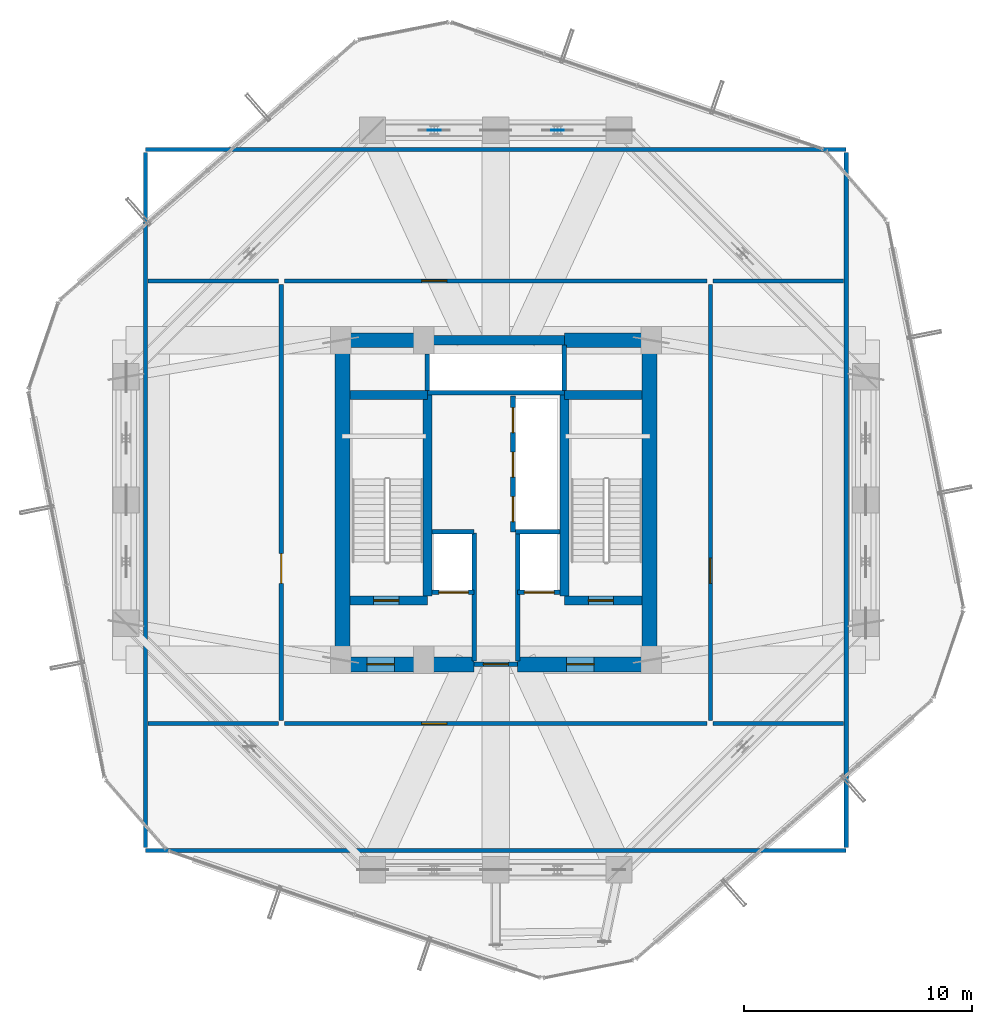
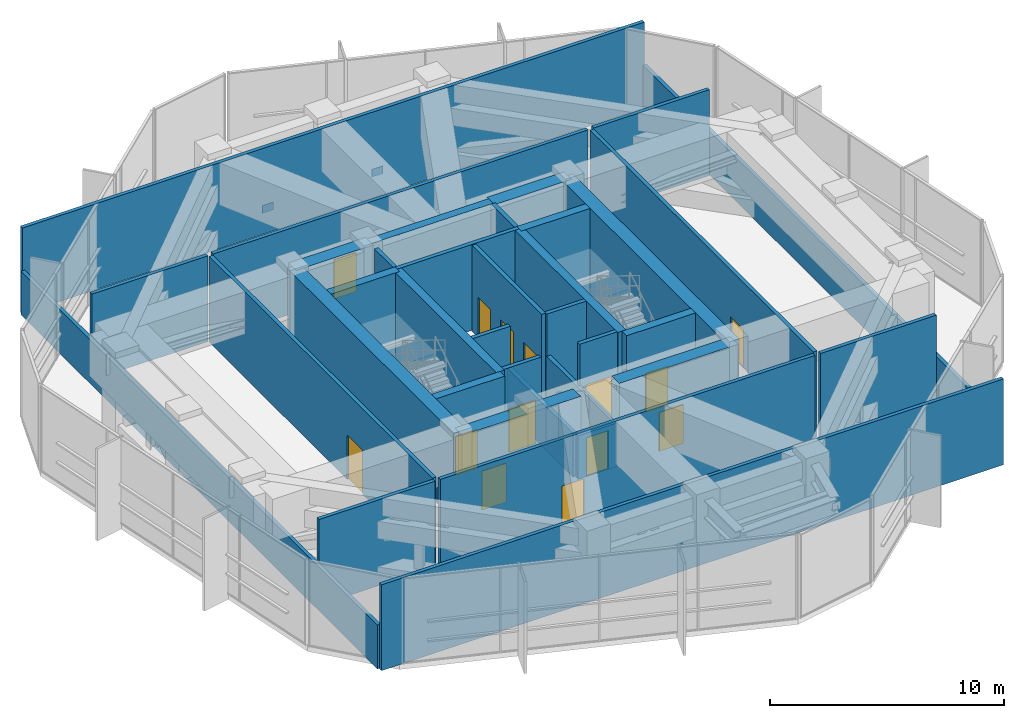
# One storey, part 33 of 36: 36 walls, 14 doors, 2 plates, 14 openings.
"""IFC4 building model written with IfcOpenShell, lengths in metres."""

from ifc_helpers import new_model, si_unit, direction, frame, frame_2d, origin, origin_2d, place, context, subcontext, project, spatial, rectangle, extrude, source, transform, mapped, material, layer, layer_set, type_object, element, fill, save


model = new_model("IFC4")

# Units and contexts
model_context = context("Model", 3, precision=1e-05, world=origin(), true_north=direction((0.0, 1.0)))
body_context = subcontext(model_context, "Body", "Model", "MODEL_VIEW")
ifc_project = project(units=[si_unit("LENGTHUNIT", "METRE"), si_unit("AREAUNIT", "SQUARE_METRE"), si_unit("VOLUMEUNIT", "CUBIC_METRE"), si_unit("PLANEANGLEUNIT", "RADIAN"), si_unit("MASSUNIT", "GRAM", prefix="KILO")], contexts=[model_context])

# Site, building, storey
site_placement = place(None, origin())
site = spatial("IfcSite", under=ifc_project, at=site_placement, CompositionType="ELEMENT")
building_placement = place(site_placement, origin())
building = spatial("IfcBuilding", under=site, at=building_placement, Name="Veraguas Prism Commons", CompositionType="ELEMENT")
storey_placement = place(building_placement, frame((0.0, 0.0, 169.550048828125)))
storey = spatial("IfcBuildingStorey", under=building, at=storey_placement, Name="L48", CompositionType="ELEMENT", Elevation=169.550048828125)

# Plates
ifc_material_1 = material(Name="Steel ASTM A572 Grade 50", Category="steel")
ifc_layer_1 = layer(ifc_material_1, 0.030029296875, Name="Hollow Brace End Cap Plate 550x400x30", Category="steel")
ifc_layer_set_1 = layer_set([ifc_layer_1], Name="Steel ASTM A572 Grade 50")
plate_type = type_object("IfcPlateType", Name="Hollow Brace End Cap Plate 550x400x30", PredefinedType="USERDEFINED", material=ifc_layer_set_1)
shared_shape_1 = source(origin(), body_context, "Body", "SweptSolid", [
    extrude(rectangle(XDim=0.550048828125, YDim=0.030029296875, at=origin_2d()), origin(), (0.0, 0.0, 1.0), 0.39990234375),
])
for number, where, z_axis, x_axis, name in (
    (1, (26.699951171875, 40.199951171875, 0.35009765625), (0.0, 0.0, 1.0), (-1.0, 0.0, 0.0), "Hollow Brace End Cap Plate L48-04"),
    (2, (21.300048828125, 40.199951171875, 0.35009765625), (0.0, 0.0, 1.0), (-1.0, 0.0, 0.0), "Hollow Brace End Cap Plate L48-05"),
):
    element("IfcPlate", number, at=place(storey_placement, frame(where, z_axis=z_axis, x_axis=x_axis)), inside=storey, type_object=plate_type, Name=name, ObjectType="STIFFENER PLATE", PredefinedType="USERDEFINED", context=body_context, shape_type="MappedRepresentation", body=[
        mapped(shared_shape_1, transform((0.0, 0.0, 0.0), scale=1.0)),
    ])

# Wall
ifc_material_2 = material(Name="Concrete C50/60", Category="concrete")
ifc_layer_2 = layer(ifc_material_2, 0.39990234375, Name="Clinic and Mid Core Shear Wall RC 400", Category="concrete")
ifc_layer_set_2 = layer_set([ifc_layer_2], Name="Concrete C50/60")
wall_type_1 = type_object("IfcWallType", Name="Clinic and Mid Core Shear Wall RC 400", PredefinedType="SHEAR", material=ifc_layer_set_2)
wall_1_placement = place(storey_placement, frame((21.0, 31.0, 0.0), z_axis=(0.0, 0.0, 1.0), x_axis=(1.0, 0.0, 0.0)))
element("IfcWall", 3, at=wall_1_placement, inside=storey, type_object=wall_type_1, Name="High-Rise Lift Bank Front Shear Wall L48", PredefinedType="SHEAR", context=body_context, shape_type="SweptSolid", body=[
    extrude(rectangle(XDim=6.0, YDim=0.39990234375, at=frame_2d((3.0, 0.0))), origin(), (0.0, 0.0, 1.0), 4.47998046875),
])

# Wall, opening, door
wall_2_placement = place(storey_placement, frame((17.60009765625, 19.60009765625, 0.0), z_axis=(0.0, 0.0, 1.0), x_axis=(1.0, 0.0, 0.0)))
wall_2 = element("IfcWall", 4, at=wall_2_placement, inside=storey, type_object=wall_type_1, Name="Stair ST-01 South Shear Wall L48", PredefinedType="SHEAR", context=body_context, shape_type="SweptSolid", body=[
    extrude(rectangle(XDim=3.39990234375, YDim=0.39990234375, at=frame_2d((1.699951171875, 0.0))), origin(), (0.0, 0.0, 1.0), 4.47998046875),
])
opening_1_placement = place(wall_2_placement, frame((1.050048828125, 0.0, 0.0)))
opening_1 = element("IfcOpeningElement", 5, at=opening_1_placement, cuts=wall_2, Name="Opening DR-05", PredefinedType="OPENING", context=body_context, shape_type="SweptSolid", body=[
    extrude(rectangle(XDim=1.10009765625, YDim=2.030029296875, at=frame_2d((0.550048828125, 1.01513671875))), frame((0.0, 0.2099609375, 0.0), z_axis=(0.0, -1.0, 0.0), x_axis=(1.0, 0.0, 0.0)), (0.0, 0.0, 1.0), 0.419921875),
])
ifc_material_3 = material(Name="Steel fire-rated door assembly", Category="steel")
door_type_1 = type_object("IfcDoorType", Name="Protected Stair and Refuge Fire Door 1100x2030", OperationType="NOTDEFINED", PredefinedType="DOOR", material=ifc_material_3)
shared_shape_2 = source(origin(), body_context, "Body", "SweptSolid", [
    extrude(rectangle(XDim=1.10009765625, YDim=2.030029296875, at=frame_2d((0.550048828125, 1.01513671875))), frame((0.0, 0.02490234375, 0.0), z_axis=(0.0, -1.0, 0.0), x_axis=(1.0, 0.0, 0.0)), (0.0, 0.0, 1.0), 0.050048828125),
])
door_1_placement = place(opening_1_placement, origin())
door_1 = element("IfcDoor", 6, at=door_1_placement, inside=storey, type_object=door_type_1, Name="Stair ST-01 Enclosure Door L48", OperationType="SINGLE_SWING_LEFT", OverallHeight=2.030029296875, OverallWidth=1.10009765625, PredefinedType="DOOR", context=body_context, shape_type="MappedRepresentation", body=[
    mapped(shared_shape_2, transform((0.0, 0.0, 0.0), scale=1.0)),
])
fill(opening_1, door_1)

wall_3_placement = place(storey_placement, frame((27.0, 19.60009765625, 0.0), z_axis=(0.0, 0.0, 1.0), x_axis=(1.0, 0.0, 0.0)))
wall_3 = element("IfcWall", 7, at=wall_3_placement, inside=storey, type_object=wall_type_1, Name="Stair ST-02 South Shear Wall L48", PredefinedType="SHEAR", context=body_context, shape_type="SweptSolid", body=[
    extrude(rectangle(XDim=3.39990234375, YDim=0.39990234375, at=frame_2d((1.699951171875, 0.0))), origin(), (0.0, 0.0, 1.0), 4.47998046875),
])
opening_2_placement = place(wall_3_placement, frame((1.050048828125, 0.0, 0.0)))
opening_2 = element("IfcOpeningElement", 8, at=opening_2_placement, cuts=wall_3, Name="Opening DR-05", PredefinedType="OPENING", context=body_context, shape_type="SweptSolid", body=[
    extrude(rectangle(XDim=1.10009765625, YDim=2.030029296875, at=frame_2d((0.550048828125, 1.01513671875))), frame((0.0, 0.2099609375, 0.0), z_axis=(0.0, -1.0, 0.0), x_axis=(1.0, 0.0, 0.0)), (0.0, 0.0, 1.0), 0.419921875),
])
door_2_placement = place(opening_2_placement, origin())
door_2 = element("IfcDoor", 9, at=door_2_placement, inside=storey, type_object=door_type_1, Name="Stair ST-02 Enclosure Door L48", OperationType="SINGLE_SWING_RIGHT", OverallHeight=2.030029296875, OverallWidth=1.10009765625, PredefinedType="DOOR", context=body_context, shape_type="MappedRepresentation", body=[
    mapped(shared_shape_2, transform((0.0, 0.0, 0.0), scale=1.0)),
])
fill(opening_2, door_2)

# Walls
for number, where, z_axis, x_axis, name in (
    (10, (21.0, 19.800048828125, 0.0), (0.0, 0.0, 1.0), (0.0, 1.0, 0.0), "Stair ST-01 Inner Shear Wall L48"),
    (11, (27.0, 19.800048828125, 0.0), (0.0, 0.0, 1.0), (0.0, 1.0, 0.0), "Stair ST-02 Inner Shear Wall L48"),
):
    element("IfcWall", number, at=place(storey_placement, frame(where, z_axis=z_axis, x_axis=x_axis)), inside=storey, type_object=wall_type_1, Name=name, PredefinedType="SHEAR", context=body_context, shape_type="SweptSolid", body=[
        extrude(rectangle(XDim=8.800048828125, YDim=0.39990234375, at=frame_2d((4.39990234375, 0.0))), origin(), (0.0, 0.0, 1.0), 4.47998046875),
    ])
for number, where, z_axis, x_axis, name in (
    (12, (17.60009765625, 28.60009765625, 0.0), (0.0, 0.0, 1.0), (1.0, 0.0, 0.0), "Stair ST-01 North Shear Wall L48"),
    (13, (27.0, 28.60009765625, 0.0), (0.0, 0.0, 1.0), (1.0, 0.0, 0.0), "Stair ST-02 North Shear Wall L48"),
):
    element("IfcWall", number, at=place(storey_placement, frame(where, z_axis=z_axis, x_axis=x_axis)), inside=storey, type_object=wall_type_1, Name=name, PredefinedType="SHEAR", context=body_context, shape_type="SweptSolid", body=[
        extrude(rectangle(XDim=3.39990234375, YDim=0.39990234375, at=frame_2d((1.699951171875, 0.0))), origin(), (0.0, 0.0, 1.0), 4.47998046875),
    ])
ifc_material_4 = material(Name="Concrete C55/67", Category="concrete")
ifc_layer_3 = layer(ifc_material_4, 0.64990234375, Name="Core Outer Shear Wall Mid RC 650", Category="concrete")
ifc_layer_set_3 = layer_set([ifc_layer_3], Name="Concrete C55/67")
wall_type_2 = type_object("IfcWallType", Name="Core Outer Shear Wall Mid RC 650", PredefinedType="SHEAR", material=ifc_layer_set_3)
for number, where, z_axis, x_axis, name in (
    (14, (17.27490234375, 16.800048828125, 0.0), (0.0, 0.0, 1.0), (0.0, 1.0, 0.0), "Central Core West Shear Wall L48"),
    (15, (30.72509765625, 16.800048828125, 0.0), (0.0, 0.0, 1.0), (0.0, 1.0, 0.0), "Central Core East Shear Wall L48"),
):
    element("IfcWall", number, at=place(storey_placement, frame(where, z_axis=z_axis, x_axis=x_axis)), inside=storey, type_object=wall_type_2, Name=name, PredefinedType="SHEAR", context=body_context, shape_type="SweptSolid", body=[
        extrude(rectangle(XDim=14.199951171875, YDim=0.64990234375, at=frame_2d((7.10009765625, 0.0))), origin(), (0.0, 0.0, 1.0), 4.47998046875),
    ])

# Wall, opening, door
wall_4_placement = place(storey_placement, frame((17.199951171875, 16.800048828125, 0.0), z_axis=(0.0, 0.0, 1.0), x_axis=(1.0, 0.0, 0.0)))
wall_4 = element("IfcWall", 16, at=wall_4_placement, inside=storey, type_object=wall_type_2, Name="Central Core South-West Shear Wall L48", PredefinedType="SHEAR", context=body_context, shape_type="SweptSolid", body=[
    extrude(rectangle(XDim=5.85009765625, YDim=0.64990234375, at=frame_2d((2.925048828125, 0.0))), origin(), (0.0, 0.0, 1.0), 4.47998046875),
])
opening_3_placement = place(wall_4_placement, frame((1.14990234375, 0.0, 0.0)))
opening_3 = element("IfcOpeningElement", 17, at=opening_3_placement, cuts=wall_4, Name="Opening DR-06", PredefinedType="OPENING", context=body_context, shape_type="SweptSolid", body=[
    extrude(rectangle(XDim=1.199951171875, YDim=2.030029296875, at=frame_2d((0.60009765625, 1.01513671875))), frame((0.0, 0.3349609375, 0.0), z_axis=(0.0, -1.0, 0.0), x_axis=(1.0, 0.0, 0.0)), (0.0, 0.0, 1.0), 0.669921875),
])
door_type_2 = type_object("IfcDoorType", Name="Firefighting Lobby Smoke Door 1200x2030", OperationType="NOTDEFINED", PredefinedType="DOOR", material=ifc_material_3)
shared_shape_3 = source(origin(), body_context, "Body", "SweptSolid", [
    extrude(rectangle(XDim=1.199951171875, YDim=2.030029296875, at=frame_2d((0.60009765625, 1.01513671875))), frame((0.0, 0.02490234375, 0.0), z_axis=(0.0, -1.0, 0.0), x_axis=(1.0, 0.0, 0.0)), (0.0, 0.0, 1.0), 0.050048828125),
])
door_3_placement = place(opening_3_placement, origin())
door_3 = element("IfcDoor", 18, at=door_3_placement, inside=storey, type_object=door_type_2, Name="West FF Lobby Door L48", OperationType="SINGLE_SWING_RIGHT", OverallHeight=2.030029296875, OverallWidth=1.199951171875, PredefinedType="DOOR", context=body_context, shape_type="MappedRepresentation", body=[
    mapped(shared_shape_3, transform((0.0, 0.0, 0.0), scale=1.0)),
])
fill(opening_3, door_3)

wall_5_placement = place(storey_placement, frame((24.949951171875, 16.800048828125, 0.0), z_axis=(0.0, 0.0, 1.0), x_axis=(1.0, 0.0, 0.0)))
wall_5 = element("IfcWall", 19, at=wall_5_placement, inside=storey, type_object=wall_type_2, Name="Central Core South-East Shear Wall L48", PredefinedType="SHEAR", context=body_context, shape_type="SweptSolid", body=[
    extrude(rectangle(XDim=5.85009765625, YDim=0.64990234375, at=frame_2d((2.925048828125, 0.0))), origin(), (0.0, 0.0, 1.0), 4.47998046875),
])
opening_4_placement = place(wall_5_placement, frame((2.14990234375, 0.0, 0.0)))
opening_4 = element("IfcOpeningElement", 20, at=opening_4_placement, cuts=wall_5, Name="Opening DR-06", PredefinedType="OPENING", context=body_context, shape_type="SweptSolid", body=[
    extrude(rectangle(XDim=1.199951171875, YDim=2.030029296875, at=frame_2d((0.60009765625, 1.01513671875))), frame((0.0, 0.3349609375, 0.0), z_axis=(0.0, -1.0, 0.0), x_axis=(1.0, 0.0, 0.0)), (0.0, 0.0, 1.0), 0.669921875),
])
door_4_placement = place(opening_4_placement, origin())
door_4 = element("IfcDoor", 21, at=door_4_placement, inside=storey, type_object=door_type_2, Name="East FF Lobby Door L48", OperationType="SINGLE_SWING_RIGHT", OverallHeight=2.030029296875, OverallWidth=1.199951171875, PredefinedType="DOOR", context=body_context, shape_type="MappedRepresentation", body=[
    mapped(shared_shape_3, transform((0.0, 0.0, 0.0), scale=1.0)),
])
fill(opening_4, door_4)

# Walls
for number, where, z_axis, x_axis, name in (
    (22, (17.199951171875, 31.0, 0.0), (0.0, 0.0, 1.0), (1.0, 0.0, 0.0), "Central Core North-West Shear Wall L48"),
    (23, (27.0, 31.0, 0.0), (0.0, 0.0, 1.0), (1.0, 0.0, 0.0), "Central Core North-East Shear Wall L48"),
):
    element("IfcWall", number, at=place(storey_placement, frame(where, z_axis=z_axis, x_axis=x_axis)), inside=storey, type_object=wall_type_2, Name=name, PredefinedType="SHEAR", context=body_context, shape_type="SweptSolid", body=[
        extrude(rectangle(XDim=3.800048828125, YDim=0.64990234375, at=frame_2d((1.89990234375, 0.0))), origin(), (0.0, 0.0, 1.0), 4.47998046875),
    ])

# Wall, opening, door
ifc_material_5 = material(Name="Autoclaved aerated masonry block 10 MPa", Category="masonry")
ifc_layer_4 = layer(ifc_material_5, 0.179931640625, Name="Corridor and Inter-Tenancy Partition 180", Category="masonry")
ifc_layer_set_4 = layer_set([ifc_layer_4], Name="Autoclaved aerated masonry block 10 MPa")
wall_type_3 = type_object("IfcWallType", Name="Corridor and Inter-Tenancy Partition 180", PredefinedType="PARTITIONING", material=ifc_layer_set_4)
wall_6_placement = place(storey_placement, frame((14.75, 14.199951171875, 0.0), z_axis=(0.0, 0.0, 1.0), x_axis=(1.0, 0.0, 0.0)))
wall_6 = element("IfcWall", 24, at=wall_6_placement, inside=storey, type_object=wall_type_3, Name="WL-L48-PLWS", PredefinedType="PARTITIONING", context=body_context, shape_type="SweptSolid", body=[
    extrude(rectangle(XDim=18.5, YDim=0.179931640625, at=frame_2d((9.25, 0.0))), origin(), (0.0, 0.0, 1.0), 4.47998046875),
])
opening_5_placement = place(wall_6_placement, frame((6.0, 0.0, 0.0)))
opening_5 = element("IfcOpeningElement", 25, at=opening_5_placement, cuts=wall_6, Name="Opening DR-05", PredefinedType="OPENING", context=body_context, shape_type="SweptSolid", body=[
    extrude(rectangle(XDim=1.10009765625, YDim=2.030029296875, at=frame_2d((0.550048828125, 1.01513671875))), frame((0.0, 0.099853515625, 0.0), z_axis=(0.0, -1.0, 0.0), x_axis=(1.0, 0.0, 0.0)), (0.0, 0.0, 1.0), 0.199951171875),
])
door_5_placement = place(opening_5_placement, origin())
door_5 = element("IfcDoor", 26, at=door_5_placement, inside=storey, type_object=door_type_1, Name="Air Handling Mechanical Plant Door", OperationType="SINGLE_SWING_LEFT", OverallHeight=2.030029296875, OverallWidth=1.10009765625, PredefinedType="DOOR", context=body_context, shape_type="MappedRepresentation", body=[
    mapped(shared_shape_2, transform((0.0, 0.0, 0.0), scale=1.0)),
])
fill(opening_5, door_5)

wall_7_placement = place(storey_placement, frame((33.39990234375, 14.35009765625, 0.0), z_axis=(0.0, 0.0, 1.0), x_axis=(0.0, 1.0, 0.0)))
wall_7 = element("IfcWall", 27, at=wall_7_placement, inside=storey, type_object=wall_type_3, Name="WL-L48-PLWE", PredefinedType="PARTITIONING", context=body_context, shape_type="SweptSolid", body=[
    extrude(rectangle(XDim=19.099853515625, YDim=0.179931640625, at=frame_2d((9.5498046875, 0.0))), origin(), (0.0, 0.0, 1.0), 4.47998046875),
])
opening_6_placement = place(wall_7_placement, frame((6.0, 0.0, 0.0)))
opening_6 = element("IfcOpeningElement", 28, at=opening_6_placement, cuts=wall_7, Name="Opening DR-05", PredefinedType="OPENING", context=body_context, shape_type="SweptSolid", body=[
    extrude(rectangle(XDim=1.10009765625, YDim=2.030029296875, at=frame_2d((0.550048828125, 1.01513671875))), frame((0.0, 0.099853515625, 0.0), z_axis=(0.0, -1.0, 0.0), x_axis=(1.0, 0.0, 0.0)), (0.0, 0.0, 1.0), 0.199951171875),
])
door_6_placement = place(opening_6_placement, origin())
door_6 = element("IfcDoor", 29, at=door_6_placement, inside=storey, type_object=door_type_1, Name="Protected Refuge Area L48 Door", OperationType="SINGLE_SWING_RIGHT", OverallHeight=2.030029296875, OverallWidth=1.10009765625, PredefinedType="DOOR", context=body_context, shape_type="MappedRepresentation", body=[
    mapped(shared_shape_2, transform((0.0, 0.0, 0.0), scale=1.0)),
])
fill(opening_6, door_6)

wall_8_placement = place(storey_placement, frame((14.75, 33.60009765625, 0.0), z_axis=(0.0, 0.0, 1.0), x_axis=(1.0, 0.0, 0.0)))
wall_8 = element("IfcWall", 30, at=wall_8_placement, inside=storey, type_object=wall_type_3, Name="WL-L48-PLWN", PredefinedType="PARTITIONING", context=body_context, shape_type="SweptSolid", body=[
    extrude(rectangle(XDim=18.5, YDim=0.179931640625, at=frame_2d((9.25, 0.0))), origin(), (0.0, 0.0, 1.0), 4.47998046875),
])
opening_7_placement = place(wall_8_placement, frame((6.0, 0.0, 0.0)))
opening_7 = element("IfcOpeningElement", 31, at=opening_7_placement, cuts=wall_8, Name="Opening DR-05", PredefinedType="OPENING", context=body_context, shape_type="SweptSolid", body=[
    extrude(rectangle(XDim=1.10009765625, YDim=2.030029296875, at=frame_2d((0.550048828125, 1.01513671875))), frame((0.0, 0.099853515625, 0.0), z_axis=(0.0, -1.0, 0.0), x_axis=(1.0, 0.0, 0.0)), (0.0, 0.0, 1.0), 0.199951171875),
])
door_7_placement = place(opening_7_placement, origin())
door_7 = element("IfcDoor", 32, at=door_7_placement, inside=storey, type_object=door_type_1, Name="Domestic Water Pump and Switchgear Plant Door", OperationType="SINGLE_SWING_LEFT", OverallHeight=2.030029296875, OverallWidth=1.10009765625, PredefinedType="DOOR", context=body_context, shape_type="MappedRepresentation", body=[
    mapped(shared_shape_2, transform((0.0, 0.0, 0.0), scale=1.0)),
])
fill(opening_7, door_7)

wall_9_placement = place(storey_placement, frame((14.60009765625, 14.35009765625, 0.0), z_axis=(0.0, 0.0, 1.0), x_axis=(0.0, 1.0, 0.0)))
wall_9 = element("IfcWall", 33, at=wall_9_placement, inside=storey, type_object=wall_type_3, Name="WL-L48-PLWW", PredefinedType="PARTITIONING", context=body_context, shape_type="SweptSolid", body=[
    extrude(rectangle(XDim=19.099853515625, YDim=0.179931640625, at=frame_2d((9.5498046875, 0.0))), origin(), (0.0, 0.0, 1.0), 4.47998046875),
])
opening_8_placement = place(wall_9_placement, frame((6.0, 0.0, 0.0)))
opening_8 = element("IfcOpeningElement", 34, at=opening_8_placement, cuts=wall_9, Name="Opening DR-11", PredefinedType="OPENING", context=body_context, shape_type="SweptSolid", body=[
    extrude(rectangle(XDim=1.300048828125, YDim=2.300048828125, at=frame_2d((0.64990234375, 1.14990234375))), frame((0.0, 0.099853515625, 0.0), z_axis=(0.0, -1.0, 0.0), x_axis=(1.0, 0.0, 0.0)), (0.0, 0.0, 1.0), 0.199951171875),
])
door_type_3 = type_object("IfcDoorType", Name="Mechanical Plant Room Door 1300x2300", OperationType="NOTDEFINED", PredefinedType="DOOR", material=ifc_material_3)
shared_shape_4 = source(origin(), body_context, "Body", "SweptSolid", [
    extrude(rectangle(XDim=1.300048828125, YDim=2.300048828125, at=frame_2d((0.64990234375, 1.14990234375))), frame((0.0, 0.02490234375, 0.0), z_axis=(0.0, -1.0, 0.0), x_axis=(1.0, 0.0, 0.0)), (0.0, 0.0, 1.0), 0.050048828125),
])
door_8_placement = place(opening_8_placement, origin())
door_8 = element("IfcDoor", 35, at=door_8_placement, inside=storey, type_object=door_type_3, Name="Chiller and Heat Exchanger Plant Door", OperationType="SINGLE_SWING_RIGHT", OverallHeight=2.300048828125, OverallWidth=1.300048828125, PredefinedType="DOOR", context=body_context, shape_type="MappedRepresentation", body=[
    mapped(shared_shape_4, transform((0.0, 0.0, 0.0), scale=1.0)),
])
fill(opening_8, door_8)

# Walls
for number, where, z_axis, x_axis, name in (
    (36, (8.64990234375, 8.64990234375, 0.0), (0.0, 0.0, 1.0), (1.0, 0.0, 0.0), "WL-L48-PLPS"),
    (37, (8.64990234375, 39.35009765625, 0.0), (0.0, 0.0, 1.0), (1.0, 0.0, 0.0), "WL-L48-PLPN"),
):
    element("IfcWall", number, at=place(storey_placement, frame(where, z_axis=z_axis, x_axis=x_axis)), inside=storey, type_object=wall_type_3, Name=name, PredefinedType="PARTITIONING", context=body_context, shape_type="SweptSolid", body=[
        extrude(rectangle(XDim=30.7001953125, YDim=0.179931640625, at=frame_2d((15.35009765625, 0.0))), origin(), (0.0, 0.0, 1.0), 4.47998046875),
    ])
for number, where, z_axis, x_axis, name in (
    (38, (8.64990234375, 8.77001953125, 0.0), (0.0, 0.0, 1.0), (0.0, 1.0, 0.0), "WL-L48-PLPW"),
    (39, (39.35009765625, 8.77001953125, 0.0), (0.0, 0.0, 1.0), (0.0, 1.0, 0.0), "WL-L48-PLPE"),
):
    element("IfcWall", number, at=place(storey_placement, frame(where, z_axis=z_axis, x_axis=x_axis)), inside=storey, type_object=wall_type_3, Name=name, PredefinedType="PARTITIONING", context=body_context, shape_type="SweptSolid", body=[
        extrude(rectangle(XDim=30.4599609375, YDim=0.179931640625, at=frame_2d((15.22998046875, 0.0))), origin(), (0.0, 0.0, 1.0), 2.280029296875),
    ])
for number, where, z_axis, x_axis, name in (
    (40, (8.77001953125, 14.199951171875, 0.0), (0.0, 0.0, 1.0), (1.0, 0.0, 0.0), "WL-L48-PLDSW"),
    (41, (33.52001953125, 14.199951171875, 0.0), (0.0, 0.0, 1.0), (1.0, 0.0, 0.0), "WL-L48-PLDSE"),
    (42, (8.77001953125, 33.60009765625, 0.0), (0.0, 0.0, 1.0), (1.0, 0.0, 0.0), "WL-L48-PLDNW"),
    (43, (33.52001953125, 33.60009765625, 0.0), (0.0, 0.0, 1.0), (1.0, 0.0, 0.0), "WL-L48-PLDNE"),
):
    element("IfcWall", number, at=place(storey_placement, frame(where, z_axis=z_axis, x_axis=x_axis)), inside=storey, type_object=wall_type_3, Name=name, PredefinedType="PARTITIONING", context=body_context, shape_type="SweptSolid", body=[
        extrude(rectangle(XDim=5.7099609375, YDim=0.179931640625, at=frame_2d((2.85498046875, 0.0))), origin(), (0.0, 0.0, 1.0), 4.47998046875),
    ])

# Wall, opening, door
ifc_layer_5 = layer(ifc_material_5, 0.199951171875, Name="Rated Shaft and Lobby Block Wall 200", Category="masonry")
ifc_layer_set_5 = layer_set([ifc_layer_5], Name="Autoclaved aerated masonry block 10 MPa")
wall_type_4 = type_object("IfcWallType", Name="Rated Shaft and Lobby Block Wall 200", PredefinedType="SOLIDWALL", material=ifc_layer_set_5)
wall_10_placement = place(storey_placement, frame((23.050048828125, 16.800048828125, 0.0), z_axis=(0.0, 0.0, 1.0), x_axis=(1.0, 0.0, 0.0)))
wall_10 = element("IfcWall", 44, at=wall_10_placement, inside=storey, type_object=wall_type_4, Name="Central Core Lobby Entrance Wall L48", PredefinedType="SOLIDWALL", context=body_context, shape_type="SweptSolid", body=[
    extrude(rectangle(XDim=1.89990234375, YDim=0.199951171875, at=frame_2d((0.949951171875, 0.0))), origin(), (0.0, 0.0, 1.0), 2.280029296875),
])
opening_9_placement = place(wall_10_placement, frame((0.39990234375, 0.0, 0.0)))
opening_9 = element("IfcOpeningElement", 45, at=opening_9_placement, cuts=wall_10, Name="Opening DR-05", PredefinedType="OPENING", context=body_context, shape_type="SweptSolid", body=[
    extrude(rectangle(XDim=1.10009765625, YDim=2.030029296875, at=frame_2d((0.550048828125, 1.01513671875))), frame((0.0, 0.10986328125, 0.0), z_axis=(0.0, -1.0, 0.0), x_axis=(1.0, 0.0, 0.0)), (0.0, 0.0, 1.0), 0.219970703125),
])
door_9_placement = place(opening_9_placement, origin())
door_9 = element("IfcDoor", 46, at=door_9_placement, inside=storey, type_object=door_type_1, Name="Central Lobby Door L48", OperationType="SINGLE_SWING_LEFT", OverallHeight=2.030029296875, OverallWidth=1.10009765625, PredefinedType="DOOR", context=body_context, shape_type="MappedRepresentation", body=[
    mapped(shared_shape_2, transform((0.0, 0.0, 0.0), scale=1.0)),
])
fill(opening_9, door_9)

wall_11_placement = place(storey_placement, frame((21.199951171875, 19.949951171875, 0.0), z_axis=(0.0, 0.0, 1.0), x_axis=(1.0, 0.0, 0.0)))
wall_11 = element("IfcWall", 47, at=wall_11_placement, inside=storey, type_object=wall_type_4, Name="Firefighting Lift FFL-1 Front Wall L48", PredefinedType="SOLIDWALL", context=body_context, shape_type="SweptSolid", body=[
    extrude(rectangle(XDim=1.85009765625, YDim=0.199951171875, at=frame_2d((0.925048828125, 0.0))), origin(), (0.0, 0.0, 1.0), 4.47998046875),
])
opening_10_placement = place(wall_11_placement, frame((0.300048828125, 0.0, 0.0)))
opening_10 = element("IfcOpeningElement", 48, at=opening_10_placement, cuts=wall_11, Name="Opening LD-02", PredefinedType="OPENING", context=body_context, shape_type="SweptSolid", body=[
    extrude(rectangle(XDim=1.300048828125, YDim=2.25, at=frame_2d((0.64990234375, 1.125))), frame((0.0, 0.10986328125, 0.0), z_axis=(0.0, -1.0, 0.0), x_axis=(1.0, 0.0, 0.0)), (0.0, 0.0, 1.0), 0.219970703125),
])
ifc_material_6 = material(Name="Stainless steel AISI 316", Category="steel")
door_type_4 = type_object("IfcDoorType", Name="Firefighting Lift Sliding Landing Door 1300x2250", OperationType="NOTDEFINED", PredefinedType="DOOR", material=ifc_material_6)
shared_shape_5 = source(origin(), body_context, "Body", "SweptSolid", [
    extrude(rectangle(XDim=1.300048828125, YDim=2.25, at=frame_2d((0.64990234375, 1.125))), frame((0.0, 0.02490234375, 0.0), z_axis=(0.0, -1.0, 0.0), x_axis=(1.0, 0.0, 0.0)), (0.0, 0.0, 1.0), 0.050048828125),
])
door_10_placement = place(opening_10_placement, origin())
door_10 = element("IfcDoor", 49, at=door_10_placement, inside=storey, type_object=door_type_4, Name="Firefighting Lift FFL-1 Landing Door L48", OperationType="SLIDING_TO_LEFT", OverallHeight=2.25, OverallWidth=1.300048828125, PredefinedType="DOOR", context=body_context, shape_type="MappedRepresentation", body=[
    mapped(shared_shape_5, transform((0.0, 0.0, 0.0), scale=1.0)),
])
fill(opening_10, door_10)

wall_12_placement = place(storey_placement, frame((24.949951171875, 19.949951171875, 0.0), z_axis=(0.0, 0.0, 1.0), x_axis=(1.0, 0.0, 0.0)))
wall_12 = element("IfcWall", 50, at=wall_12_placement, inside=storey, type_object=wall_type_4, Name="Firefighting Lift FFL-2 Front Wall L48", PredefinedType="SOLIDWALL", context=body_context, shape_type="SweptSolid", body=[
    extrude(rectangle(XDim=1.85009765625, YDim=0.199951171875, at=frame_2d((0.925048828125, 0.0))), origin(), (0.0, 0.0, 1.0), 4.47998046875),
])
opening_11_placement = place(wall_12_placement, frame((0.300048828125, 0.0, 0.0)))
opening_11 = element("IfcOpeningElement", 51, at=opening_11_placement, cuts=wall_12, Name="Opening LD-02", PredefinedType="OPENING", context=body_context, shape_type="SweptSolid", body=[
    extrude(rectangle(XDim=1.300048828125, YDim=2.25, at=frame_2d((0.64990234375, 1.125))), frame((0.0, 0.10986328125, 0.0), z_axis=(0.0, -1.0, 0.0), x_axis=(1.0, 0.0, 0.0)), (0.0, 0.0, 1.0), 0.219970703125),
])
door_11_placement = place(opening_11_placement, origin())
door_11 = element("IfcDoor", 52, at=door_11_placement, inside=storey, type_object=door_type_4, Name="Firefighting Lift FFL-2 Front Wall L48", OperationType="SLIDING_TO_LEFT", OverallHeight=2.25, OverallWidth=1.300048828125, PredefinedType="DOOR", context=body_context, shape_type="MappedRepresentation", body=[
    mapped(shared_shape_5, transform((0.0, 0.0, 0.0), scale=1.0)),
])
fill(opening_11, door_11)

# Walls
for number, where, z_axis, x_axis, name in (
    (53, (23.050048828125, 16.949951171875, 0.0), (0.0, 0.0, 1.0), (0.0, 1.0, 0.0), "West FF Lobby Divider Wall L48"),
    (54, (24.949951171875, 16.949951171875, 0.0), (0.0, 0.0, 1.0), (0.0, 1.0, 0.0), "East FF Lobby Divider Wall L48"),
):
    element("IfcWall", number, at=place(storey_placement, frame(where, z_axis=z_axis, x_axis=x_axis)), inside=storey, type_object=wall_type_4, Name=name, PredefinedType="SOLIDWALL", context=body_context, shape_type="SweptSolid", body=[
        extrude(rectangle(XDim=5.60009765625, YDim=0.199951171875, at=frame_2d((2.800048828125, 0.0))), origin(), (0.0, 0.0, 1.0), 2.280029296875),
    ])
wall_13_placement = place(storey_placement, frame((21.199951171875, 22.60009765625, 0.0), z_axis=(0.0, 0.0, 1.0), x_axis=(1.0, 0.0, 0.0)))
element("IfcWall", 55, at=wall_13_placement, inside=storey, type_object=wall_type_4, Name="Firefighting Lift FFL-1 Rear Wall L48", PredefinedType="SOLIDWALL", context=body_context, shape_type="SweptSolid", body=[
    extrude(rectangle(XDim=1.85009765625, YDim=0.199951171875, at=frame_2d((0.925048828125, 0.0))), origin(), (0.0, 0.0, 1.0), 4.47998046875),
])
wall_14_placement = place(storey_placement, frame((24.85009765625, 22.60009765625, 0.0), z_axis=(0.0, 0.0, 1.0), x_axis=(1.0, 0.0, 0.0)))
element("IfcWall", 56, at=wall_14_placement, inside=storey, type_object=wall_type_4, Name="Firefighting Lift FFL-2 Rear Wall L48", PredefinedType="SOLIDWALL", context=body_context, shape_type="SweptSolid", body=[
    extrude(rectangle(XDim=1.949951171875, YDim=0.199951171875, at=frame_2d((0.97509765625, 0.0))), origin(), (0.0, 0.0, 1.0), 4.47998046875),
])
wall_15_placement = place(storey_placement, frame((21.0, 28.699951171875, 0.0), z_axis=(0.0, 0.0, 1.0), x_axis=(1.0, 0.0, 0.0)))
element("IfcWall", 57, at=wall_15_placement, inside=storey, type_object=wall_type_4, Name="High-Rise Lift Bank Rear Shaft Wall L48", PredefinedType="SOLIDWALL", context=body_context, shape_type="SweptSolid", body=[
    extrude(rectangle(XDim=6.0, YDim=0.199951171875, at=frame_2d((3.0, 0.0))), origin(), (0.0, 0.0, 1.0), 4.47998046875),
])
wall_16_placement = place(storey_placement, frame((21.0, 28.800048828125, 0.0), z_axis=(0.0, 0.0, 1.0), x_axis=(0.0, 1.0, 0.0)))
element("IfcWall", 58, at=wall_16_placement, inside=storey, type_object=wall_type_4, Name="High-Rise Lift Bank West Shaft Wall L48", PredefinedType="SOLIDWALL", context=body_context, shape_type="SweptSolid", body=[
    extrude(rectangle(XDim=1.599853515625, YDim=0.199951171875, at=frame_2d((0.7998046875, 0.0))), origin(), (0.0, 0.0, 1.0), 4.47998046875),
])
wall_17_placement = place(storey_placement, frame((27.0, 28.800048828125, 0.0), z_axis=(0.0, 0.0, 1.0), x_axis=(0.0, 1.0, 0.0)))
element("IfcWall", 59, at=wall_17_placement, inside=storey, type_object=wall_type_4, Name="High-Rise Lift Bank East Shaft Wall L48", PredefinedType="SOLIDWALL", context=body_context, shape_type="SweptSolid", body=[
    extrude(rectangle(XDim=2.0, YDim=0.199951171875, at=frame_2d((1.0, 0.0))), origin(), (0.0, 0.0, 1.0), 4.47998046875),
])

# Wall, openings, doors
wall_18_placement = place(storey_placement, frame((24.75, 22.60009765625, 0.0), z_axis=(0.0, 0.0, 1.0), x_axis=(0.0, 1.0, 0.0)))
wall_18 = element("IfcWall", 60, at=wall_18_placement, inside=storey, type_object=wall_type_4, Name="Mid-Rise Lift Bank Front Wall L48", PredefinedType="SOLIDWALL", context=body_context, shape_type="SweptSolid", body=[
    extrude(rectangle(XDim=5.949951171875, YDim=0.199951171875, at=frame_2d((2.97509765625, 0.0))), origin(), (0.0, 0.0, 1.0), 4.47998046875),
])
opening_12_placement = place(wall_18_placement, frame((0.449951171875, 0.0, 0.0)))
opening_12 = element("IfcOpeningElement", 61, at=opening_12_placement, cuts=wall_18, Name="Opening LD-01", PredefinedType="OPENING", context=body_context, shape_type="SweptSolid", body=[
    extrude(rectangle(XDim=1.10009765625, YDim=2.080078125, at=frame_2d((0.550048828125, 1.0400390625))), frame((0.0, 0.10986328125, 0.0), z_axis=(0.0, -1.0, 0.0), x_axis=(1.0, 0.0, 0.0)), (0.0, 0.0, 1.0), 0.219970703125),
])
opening_13_placement = place(wall_18_placement, frame((2.39990234375, 0.0, 0.0)))
opening_13 = element("IfcOpeningElement", 62, at=opening_13_placement, cuts=wall_18, Name="Opening LD-01", PredefinedType="OPENING", context=body_context, shape_type="SweptSolid", body=[
    extrude(rectangle(XDim=1.10009765625, YDim=2.080078125, at=frame_2d((0.550048828125, 1.0400390625))), frame((0.0, 0.10986328125, 0.0), z_axis=(0.0, -1.0, 0.0), x_axis=(1.0, 0.0, 0.0)), (0.0, 0.0, 1.0), 0.219970703125),
])
opening_14_placement = place(wall_18_placement, frame((4.35009765625, 0.0, 0.0)))
opening_14 = element("IfcOpeningElement", 63, at=opening_14_placement, cuts=wall_18, Name="Opening LD-01", PredefinedType="OPENING", context=body_context, shape_type="SweptSolid", body=[
    extrude(rectangle(XDim=1.10009765625, YDim=2.080078125, at=frame_2d((0.550048828125, 1.0400390625))), frame((0.0, 0.10986328125, 0.0), z_axis=(0.0, -1.0, 0.0), x_axis=(1.0, 0.0, 0.0)), (0.0, 0.0, 1.0), 0.219970703125),
])
door_type_5 = type_object("IfcDoorType", Name="Passenger Lift Sliding Landing Door 1100x2080", OperationType="NOTDEFINED", PredefinedType="DOOR", material=ifc_material_6)
shared_shape_6 = source(origin(), body_context, "Body", "SweptSolid", [
    extrude(rectangle(XDim=1.10009765625, YDim=2.080078125, at=frame_2d((0.550048828125, 1.0400390625))), frame((0.0, 0.02490234375, 0.0), z_axis=(0.0, -1.0, 0.0), x_axis=(1.0, 0.0, 0.0)), (0.0, 0.0, 1.0), 0.050048828125),
])
door_12_placement = place(opening_12_placement, origin())
door_12 = element("IfcDoor", 64, at=door_12_placement, inside=storey, type_object=door_type_5, Name="Sliding Landing Door PL-M1 L48", OperationType="SLIDING_TO_LEFT", OverallHeight=2.080078125, OverallWidth=1.10009765625, PredefinedType="DOOR", context=body_context, shape_type="MappedRepresentation", body=[
    mapped(shared_shape_6, transform((0.0, 0.0, 0.0), scale=1.0)),
])
fill(opening_12, door_12)
door_13_placement = place(opening_13_placement, origin())
door_13 = element("IfcDoor", 65, at=door_13_placement, inside=storey, type_object=door_type_5, Name="Sliding Landing Door PL-M2 L48", OperationType="SLIDING_TO_LEFT", OverallHeight=2.080078125, OverallWidth=1.10009765625, PredefinedType="DOOR", context=body_context, shape_type="MappedRepresentation", body=[
    mapped(shared_shape_6, transform((0.0, 0.0, 0.0), scale=1.0)),
])
fill(opening_13, door_13)
door_14_placement = place(opening_14_placement, origin())
door_14 = element("IfcDoor", 66, at=door_14_placement, inside=storey, type_object=door_type_5, Name="Sliding Landing Door PL-M3 L48", OperationType="SLIDING_TO_LEFT", OverallHeight=2.080078125, OverallWidth=1.10009765625, PredefinedType="DOOR", context=body_context, shape_type="MappedRepresentation", body=[
    mapped(shared_shape_6, transform((0.0, 0.0, 0.0), scale=1.0)),
])
fill(opening_14, door_14)

save(model, "model.ifc")
